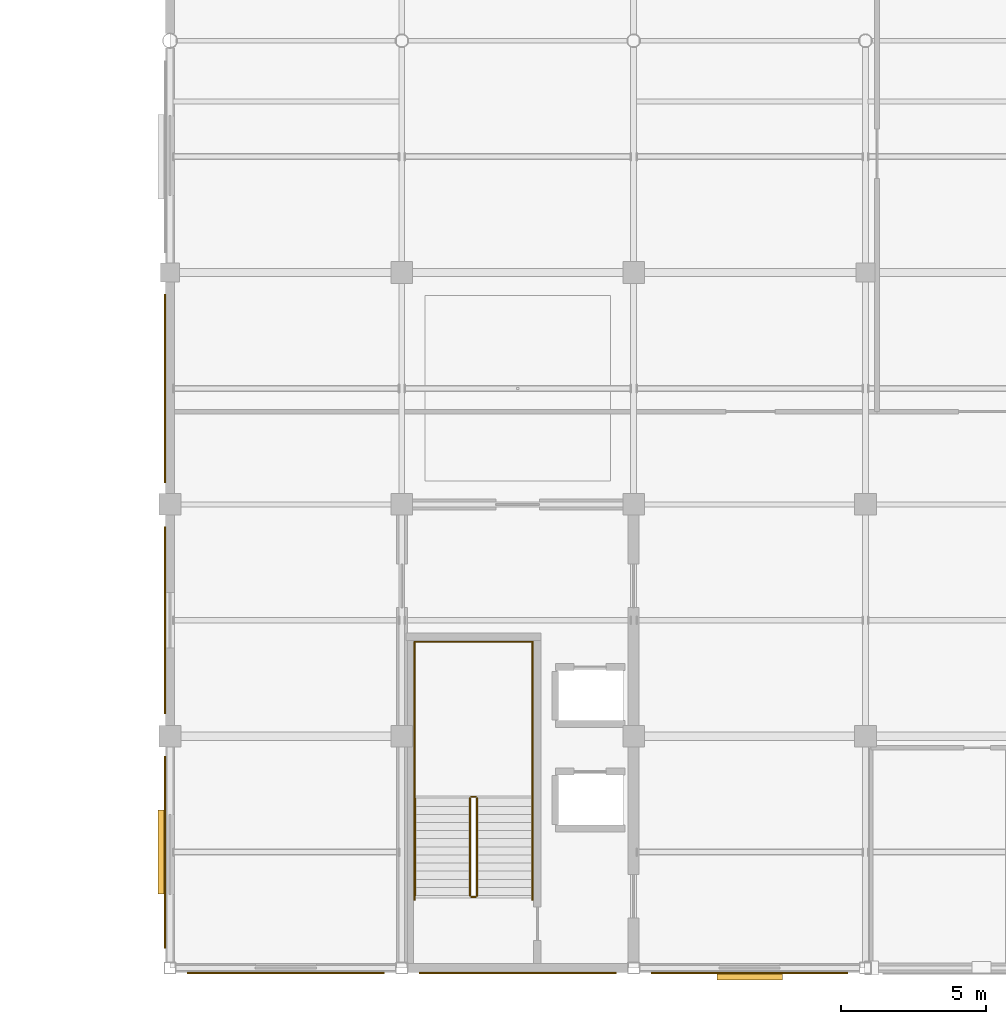
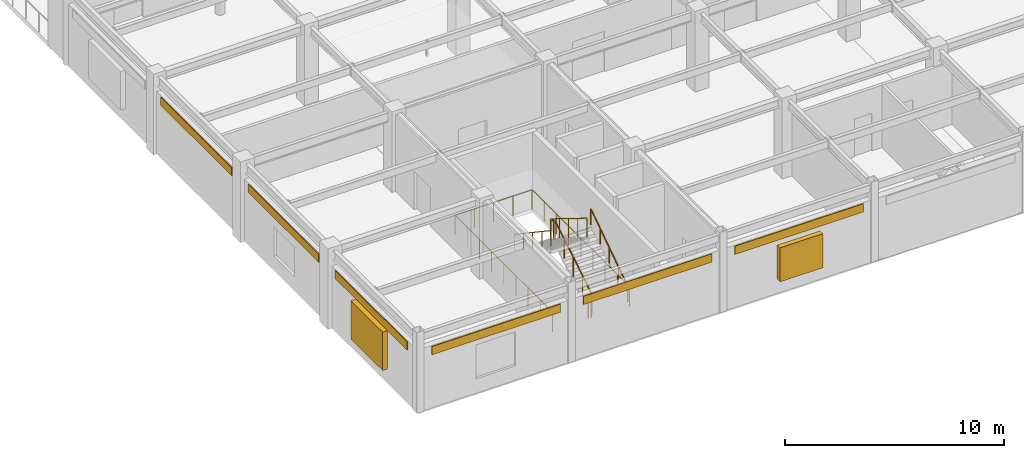
# One storey, part 82 of 93: 9 railings, 6 coverings, 2 shading devices.
"""IFC4 building model written with IfcOpenShell, lengths in metres."""

import ifcopenshell
import ifcopenshell.guid

model = None  # the IFC model being written
_history = None  # IfcOwnerHistory: only IFC2X3 demands one
_inside = {}  # id of a spatial element -> (the spatial element, [elements in it])
_under = {}  # id of a project, library or spatial element -> (it, [spatial elements below it])
_declared = {}  # id of a project -> (the project, [libraries it declares])
_typed = {}  # id of a type object -> (the type object, [elements of that type])
_made_of = {}  # id of a material, layer set ... -> (it, [elements and type objects made of it])


def new_model(schema):
    """Start an empty IFC model of exactly this schema.

    Asked for "IFC4X3", IfcOpenShell would pick the latest addendum, in which some entities
    have other attributes; the version numbers below select the first issue.
    IFC2X3 requires an IfcOwnerHistory on every rooted entity: one is made here for all.
    """
    global model, _history
    if schema == "IFC4X3":
        model = ifcopenshell.file(schema_version=(4, 3, 0, 0))
    else:
        model = ifcopenshell.file(schema=schema)
    _inside.clear()
    _under.clear()
    _declared.clear()
    _typed.clear()
    _made_of.clear()
    _history = None
    if model.schema == "IFC2X3":
        org = make("IfcOrganization", Name="unknown")
        user = make(
            "IfcPersonAndOrganization",
            ThePerson=make("IfcPerson", FamilyName="unknown"),
            TheOrganization=org,
        )
        app = make(
            "IfcApplication",
            ApplicationDeveloper=org,
            Version="unknown",
            ApplicationFullName="unknown",
            ApplicationIdentifier="unknown",
        )
        _history = make(
            "IfcOwnerHistory",
            OwningUser=user,
            OwningApplication=app,
            ChangeAction="ADDED",
            CreationDate=0,
        )
    return model


def make(cls, **values):
    """One entity of the class cls with the attributes given. An attribute that is None is left unset."""
    return model.create_entity(
        cls, **{name: value for name, value in values.items() if value is not None}
    )


def rooted(cls, **values):
    """An entity with a GlobalId (a new one), such as an element, a storey or a relation."""
    return make(cls, GlobalId=ifcopenshell.guid.new(), OwnerHistory=_history, **values)


def si_unit(unit_type, name, prefix=None):
    """IfcSIUnit, for example si_unit("LENGTHUNIT", "METRE", prefix="MILLI")."""
    return make("IfcSIUnit", UnitType=unit_type, Prefix=prefix, Name=name)


def assignment(units):
    """IfcUnitAssignment: the units of a project."""
    return None if units is None else make("IfcUnitAssignment", Units=units)


def point(xyz):
    """IfcCartesianPoint."""
    return None if xyz is None else make("IfcCartesianPoint", Coordinates=xyz)


def direction(xyz):
    """IfcDirection."""
    return None if xyz is None else make("IfcDirection", DirectionRatios=xyz)


def frame(location, z_axis=None, x_axis=None):
    """IfcAxis2Placement3D, a coordinate frame: its origin and axes. An axis left out is left unset."""
    return make(
        "IfcAxis2Placement3D",
        Location=point(location),
        Axis=direction(z_axis),
        RefDirection=direction(x_axis),
    )


def frame_2d(location, x_axis=None):
    """IfcAxis2Placement2D, a coordinate frame in the plane: its origin and x axis."""
    return make(
        "IfcAxis2Placement2D", Location=point(location), RefDirection=direction(x_axis)
    )


def origin():
    """The frame at (0, 0, 0) with its axes left unset."""
    return frame((0.0, 0.0, 0.0))


def origin_2d():
    """The frame at (0, 0) in the plane with its x axis left unset."""
    return frame_2d((0.0, 0.0))


def place(relative_to, where):
    """IfcLocalPlacement: puts the frame where relative to a parent placement (None: the world)."""
    return make(
        "IfcLocalPlacement", PlacementRelTo=relative_to, RelativePlacement=where
    )


def context(
    kind, dimensions, precision=None, world=None, true_north=None, identifier=None
):
    """IfcGeometricRepresentationContext, for example the 3D "Model" context."""
    return make(
        "IfcGeometricRepresentationContext",
        ContextIdentifier=identifier,
        ContextType=kind,
        CoordinateSpaceDimension=dimensions,
        Precision=precision,
        WorldCoordinateSystem=world,
        TrueNorth=true_north,
    )


def subcontext(parent, identifier, kind, view, scale=None):
    """IfcGeometricRepresentationSubContext, for example "Body" below "Model"."""
    return make(
        "IfcGeometricRepresentationSubContext",
        ContextIdentifier=identifier,
        ContextType=kind,
        ParentContext=parent,
        TargetScale=scale,
        TargetView=view,
    )


def project(units=None, contexts=None):
    """IfcProject with its units and contexts."""
    return rooted(
        "IfcProject",
        Name="project",
        RepresentationContexts=contexts,
        UnitsInContext=assignment(units),
    )


def spatial(cls, under=None, at=None, **own):
    """A site, building, storey or space (cls), placed at a placement, below another one or the project."""
    s = rooted(cls, ObjectPlacement=at, **own)
    if under is not None:
        _under.setdefault(under.id(), (under, []))[1].append(s)
    return s


def profile(cls, at=None, kind="AREA", **sizes):
    """A parametric profile (cls). Its sizes go by their IFC names, for example OverallWidth=200.0."""
    return make(cls, ProfileType=kind, Position=at, **sizes)


def rectangle(**sizes):
    """IfcRectangleProfileDef."""
    return profile("IfcRectangleProfileDef", **sizes)


def circle(**sizes):
    """IfcCircleProfileDef."""
    return profile("IfcCircleProfileDef", **sizes)


def extrude(swept, where, along, depth):
    """IfcExtrudedAreaSolid: the profile swept, set in the frame where, extruded along a direction by depth."""
    return make(
        "IfcExtrudedAreaSolid",
        SweptArea=swept,
        Position=where,
        ExtrudedDirection=direction(along),
        Depth=depth,
    )


def shape(context_of_items, identifier, shape_type, items):
    """IfcShapeRepresentation: the items that make up one representation, for example the "Body"."""
    return make(
        "IfcShapeRepresentation",
        ContextOfItems=context_of_items,
        RepresentationIdentifier=identifier,
        RepresentationType=shape_type,
        Items=items,
    )


def material(Name=None, Category=None):
    """IfcMaterial."""
    return make("IfcMaterial", Name=Name, Category=Category)


def layer(
    of_material, thickness, ventilated=None, Name=None, Category=None, Priority=None
):
    """IfcMaterialLayer: one layer of a wall or slab, of a material (None: an air gap)."""
    return make(
        "IfcMaterialLayer",
        Material=of_material,
        LayerThickness=thickness,
        IsVentilated=ventilated,
        Name=Name,
        Category=Category,
        Priority=Priority,
    )


def layer_set(layers, Name=None):
    """IfcMaterialLayerSet."""
    return make("IfcMaterialLayerSet", MaterialLayers=layers, LayerSetName=Name)


def made_of(thing, what):
    """Note that an element or type object is made of a material, layer set ...; save() writes the relation."""
    if what is not None:
        _made_of.setdefault(what.id(), (what, []))[1].append(thing)
    return thing


def type_object(cls, material=None, **own):
    """A type object (cls), such as IfcWallType, which elements share."""
    return made_of(rooted(cls, **own), material)


def element(
    cls,
    number,
    at=None,
    inside=None,
    cuts=None,
    type_object=None,
    material=None,
    context=None,
    identifier="Body",
    shape_type=None,
    held_by="IfcProductDefinitionShape",
    body=None,
    shapes=None,
    **own,
):
    """One element of the class cls, such as IfcWall. Its Tag is "e" and its number.

    at: its placement. inside: the storey or other place that contains it. cuts: it is an
    opening in that element (IfcRelVoidsElement). A single representation is given by context,
    identifier, shape_type and body (its items); several are given by shapes. held_by: the class
    of the entity that holds the representations. save() writes the other relations.
    """
    e = rooted(cls, Tag="e%d" % number, ObjectPlacement=at, **own)
    if body is not None:
        shapes = [shape(context, identifier, shape_type, body)]
    if shapes is not None:
        e.Representation = make(held_by, Representations=shapes)
    if inside is not None:
        _inside.setdefault(inside.id(), (inside, []))[1].append(e)
    if cuts is not None:
        rooted(
            "IfcRelVoidsElement", RelatingBuildingElement=cuts, RelatedOpeningElement=e
        )
    if type_object is not None:
        _typed.setdefault(type_object.id(), (type_object, []))[1].append(e)
    return made_of(e, material)


def aggregate(whole, parts):
    """IfcRelAggregates: a whole, such as a stair, and the parts it consists of."""
    return rooted("IfcRelAggregates", RelatingObject=whole, RelatedObjects=parts)


def save(model, path):
    """Write the relations noted so far, then the file.

    IfcRelAggregates (storeys below a building ...), IfcRelContainedInSpatialStructure (elements
    in a storey), IfcRelDefinesByType, IfcRelAssociatesMaterial and IfcRelDeclares: one each for
    every whole, place, type object, material and project.
    """
    for whole, parts in _under.values():
        aggregate(whole, parts)
    for where, things in _inside.values():
        rooted(
            "IfcRelContainedInSpatialStructure",
            RelatedElements=things,
            RelatingStructure=where,
        )
    for kind, things in _typed.values():
        rooted("IfcRelDefinesByType", RelatedObjects=things, RelatingType=kind)
    for what, things in _made_of.values():
        rooted("IfcRelAssociatesMaterial", RelatedObjects=things, RelatingMaterial=what)
    for by, libraries in _declared.values():
        rooted("IfcRelDeclares", RelatingContext=by, RelatedDefinitions=libraries)
    model.write(path)


model = new_model("IFC4")

# Units and contexts
model_context = context("Model", 3, precision=1e-05, world=origin(), true_north=direction((0.0, 1.0)))
body_context = subcontext(model_context, "Body", "Model", "MODEL_VIEW")
ifc_project = project(units=[si_unit("LENGTHUNIT", "METRE"), si_unit("AREAUNIT", "SQUARE_METRE"), si_unit("VOLUMEUNIT", "CUBIC_METRE"), si_unit("PLANEANGLEUNIT", "RADIAN"), si_unit("MASSUNIT", "GRAM", prefix="KILO")], contexts=[model_context])

# Site, building, storey
site_placement = place(None, origin())
site = spatial("IfcSite", under=ifc_project, at=site_placement, CompositionType="ELEMENT")
building_placement = place(site_placement, origin())
building = spatial("IfcBuilding", under=site, at=building_placement, Name="Solmirada Galleria", CompositionType="ELEMENT")
storey_placement = place(building_placement, frame((0.0, 0.0, 14.89990234375)))
storey = spatial("IfcBuildingStorey", under=building, at=storey_placement, Name="L03", CompositionType="ELEMENT", Elevation=14.89990234375)

# Coverings
ifc_material_1 = material(Name="Limestone cladding panels", Category="masonry")
ifc_layer_1 = layer(ifc_material_1, 0.044921875)
ifc_layer_set_1 = layer_set([ifc_layer_1], Name="Limestone cladding panels")
covering_type_1 = type_object("IfcCoveringType", Name="COV-CLAD-LIME", PredefinedType="CLADDING", material=ifc_layer_set_1)
for number, where, z_axis, x_axis, name in (
    (1, (100.0, -0.177490234375, 2.990234375), (0.0, 0.0, 1.0), (-1.0, 0.0, 0.0), "Postmodern facade cladding L03-217"),
    (2, (84.0, -0.177490234375, 2.990234375), (0.0, 0.0, 1.0), (-1.0, 0.0, 0.0), "Postmodern facade cladding L03-219"),
):
    element("IfcCovering", number, at=place(storey_placement, frame(where, z_axis=z_axis, x_axis=x_axis)), inside=storey, type_object=covering_type_1, Name=name, PredefinedType="CLADDING", context=body_context, shape_type="SweptSolid", body=[
        extrude(rectangle(XDim=6.7939453125, YDim=0.044921875, at=origin_2d()), origin(), (0.0, 0.0, 1.0), 0.4599609375),
    ])
covering_1_placement = place(storey_placement, frame((79.822509765625, 12.0, 2.990234375), z_axis=(0.0, 0.0, 1.0), x_axis=(0.0, 1.0, 0.0)))
element("IfcCovering", 3, at=covering_1_placement, inside=storey, type_object=covering_type_1, Name="Postmodern facade cladding L03-221", PredefinedType="CLADDING", context=body_context, shape_type="SweptSolid", body=[
    extrude(rectangle(XDim=6.449951171875, YDim=0.044921875, at=origin_2d()), origin(), (0.0, 0.0, 1.0), 0.4599609375),
])
ifc_material_2 = material(Name="Glazed terracotta facade panels", Category="masonry")
ifc_layer_2 = layer(ifc_material_2, 0.0400390625)
ifc_layer_set_2 = layer_set([ifc_layer_2], Name="Glazed terracotta facade panels")
covering_type_2 = type_object("IfcCoveringType", Name="COV-CLAD-TERRA", PredefinedType="CLADDING", material=ifc_layer_set_2)
covering_2_placement = place(storey_placement, frame((92.0, -0.175048828125, 2.990234375), z_axis=(0.0, 0.0, 1.0), x_axis=(-1.0, 0.0, 0.0)))
element("IfcCovering", 4, at=covering_2_placement, inside=storey, type_object=covering_type_2, Name="Postmodern facade cladding L03-218", PredefinedType="CLADDING", context=body_context, shape_type="SweptSolid", body=[
    extrude(rectangle(XDim=6.7939453125, YDim=0.0400390625, at=origin_2d()), origin(), (0.0, 0.0, 1.0), 0.4599609375),
])
covering_3_placement = place(storey_placement, frame((79.824951171875, 4.0, 2.990234375), z_axis=(0.0, 0.0, 1.0), x_axis=(0.0, 1.0, 0.0)))
element("IfcCovering", 5, at=covering_3_placement, inside=storey, type_object=covering_type_2, Name="Postmodern facade cladding L03-220", PredefinedType="CLADDING", context=body_context, shape_type="SweptSolid", body=[
    extrude(rectangle(XDim=6.6220703125, YDim=0.0400390625, at=origin_2d()), origin(), (0.0, 0.0, 1.0), 0.4599609375),
])
covering_4_placement = place(storey_placement, frame((79.824951171875, 20.0, 2.990234375), z_axis=(0.0, 0.0, 1.0), x_axis=(0.0, 1.0, 0.0)))
element("IfcCovering", 6, at=covering_4_placement, inside=storey, type_object=covering_type_2, Name="Postmodern facade cladding L03-222", PredefinedType="CLADDING", context=body_context, shape_type="SweptSolid", body=[
    extrude(rectangle(XDim=6.5, YDim=0.0400390625, at=origin_2d()), origin(), (0.0, 0.0, 1.0), 0.4599609375),
])

# Railings
ifc_material_3 = material(Name="Painted steel tubular railing", Category="steel")
railing_type_1 = type_object("IfcRailingType", Name="RAIL-STAIR-GUARD", PredefinedType="GUARDRAIL", material=ifc_material_3)
railing_1_placement = place(storey_placement, frame((90.60009765625, 2.5, 0.173095703125)))
element("IfcRailing", 7, at=railing_1_placement, inside=storey, type_object=railing_type_1, Name="L03 ST2 stair guard 1", PredefinedType="GUARDRAIL", context=body_context, shape_type="SweptSolid", body=[
    extrude(circle(Radius=0.02392578125, at=origin_2d()), frame((0.0, 0.0, 1.076171875), z_axis=(0.0, 0.850623216509, 0.525775754039), x_axis=(-1.0, 0.0, 0.0)), (0.0, 0.0, 1.0), 3.9501953125),
    extrude(circle(Radius=0.02099609375, at=origin_2d()), origin(), (0.0, 0.0, 1.0), 1.048095703125),
    extrude(circle(Radius=0.02099609375, at=origin_2d()), frame((0.0, 0.840087890625, 0.519287109375)), (0.0, 0.0, 1.0), 1.048095703125),
    extrude(circle(Radius=0.02099609375, at=origin_2d()), frame((0.0, 1.68017578125, 1.03857421875)), (0.0, 0.0, 1.0), 1.048095703125),
    extrude(circle(Radius=0.02099609375, at=origin_2d()), frame((0.0, 2.52001953125, 1.5576171875)), (0.0, 0.0, 1.0), 1.048095703125),
    extrude(circle(Radius=0.02099609375, at=origin_2d()), frame((0.0, 3.360107421875, 2.076904296875)), (0.0, 0.0, 1.0), 1.048095703125),
])
railing_2_placement = place(storey_placement, frame((90.550048828125, 5.909912109375, 2.25)))
element("IfcRailing", 8, at=railing_2_placement, inside=storey, type_object=railing_type_1, Name="L03 ST2 stair guard 2", PredefinedType="GUARDRAIL", context=body_context, shape_type="SweptSolid", body=[
    extrude(circle(Radius=0.02392578125, at=origin_2d()), frame((0.0, 0.0, 1.076171875), z_axis=(-1.0, 0.0, 0.0), x_axis=(0.0, -1.0, 0.0)), (0.0, 0.0, 1.0), 0.150146484375),
    extrude(circle(Radius=0.02099609375, at=origin_2d()), origin(), (0.0, 0.0, 1.0), 1.048095703125),
    extrude(circle(Radius=0.02099609375, at=origin_2d()), frame((-0.150146484375, 0.0, 0.0)), (0.0, 0.0, 1.0), 1.048095703125),
])
railing_3_placement = place(storey_placement, frame((90.35009765625, 5.860107421875, 2.423095703125)))
element("IfcRailing", 9, at=railing_3_placement, inside=storey, type_object=railing_type_1, Name="L03 ST2 stair guard 3", PredefinedType="GUARDRAIL", context=body_context, shape_type="SweptSolid", body=[
    extrude(circle(Radius=0.02392578125, at=origin_2d()), frame((0.0, 0.0, 1.076171875), z_axis=(0.0, -0.850623216509, 0.525775754039), x_axis=(1.0, 0.0, 0.0)), (0.0, 0.0, 1.0), 3.9501953125),
    extrude(circle(Radius=0.02099609375, at=origin_2d()), origin(), (0.0, 0.0, 1.0), 1.048095703125),
    extrude(circle(Radius=0.02099609375, at=origin_2d()), frame((0.0, -0.840087890625, 0.519287109375)), (0.0, 0.0, 1.0), 1.048095703125),
    extrude(circle(Radius=0.02099609375, at=origin_2d()), frame((0.0, -1.68017578125, 1.03857421875)), (0.0, 0.0, 1.0), 1.048095703125),
    extrude(circle(Radius=0.02099609375, at=origin_2d()), frame((0.0, -2.52001953125, 1.5576171875)), (0.0, 0.0, 1.0), 1.048095703125),
    extrude(circle(Radius=0.02099609375, at=origin_2d()), frame((0.0, -3.360107421875, 2.076904296875)), (0.0, 0.0, 1.0), 1.048095703125),
])
railing_4_placement = place(storey_placement, frame((90.550048828125, 2.449951171875, 0.0)))
element("IfcRailing", 10, at=railing_4_placement, inside=storey, type_object=railing_type_1, Name="L03 ST2 stair guard 4", PredefinedType="GUARDRAIL", context=body_context, shape_type="SweptSolid", body=[
    extrude(circle(Radius=0.02392578125, at=origin_2d()), frame((0.0, 0.0, 1.076171875), z_axis=(-1.0, 0.0, 0.0), x_axis=(0.0, -1.0, 0.0)), (0.0, 0.0, 1.0), 0.150146484375),
    extrude(circle(Radius=0.02099609375, at=origin_2d()), origin(), (0.0, 0.0, 1.0), 1.048095703125),
    extrude(circle(Radius=0.02099609375, at=origin_2d()), frame((-0.150146484375, 0.0, 0.0)), (0.0, 0.0, 1.0), 1.048095703125),
])
railing_5_placement = place(storey_placement, frame((88.43994140625, 2.35009765625, 0.0)))
element("IfcRailing", 11, at=railing_5_placement, inside=storey, type_object=railing_type_1, Name="Stair ST2 well edge guard L03-1", PredefinedType="GUARDRAIL", context=body_context, shape_type="SweptSolid", body=[
    extrude(circle(Radius=0.02392578125, at=origin_2d()), frame((0.0, 0.0, 1.09619140625), z_axis=(0.0, 1.0, 0.0), x_axis=(-1.0, 0.0, 0.0)), (0.0, 0.0, 1.0), 8.909912109375),
    extrude(circle(Radius=0.02099609375, at=origin_2d()), origin(), (0.0, 0.0, 1.0), 1.068115234375),
    extrude(circle(Radius=0.02099609375, at=origin_2d()), frame((0.0, 1.11376953125, 0.0)), (0.0, 0.0, 1.0), 1.068115234375),
    extrude(circle(Radius=0.02099609375, at=origin_2d()), frame((0.0, 2.2275390625, 0.0)), (0.0, 0.0, 1.0), 1.068115234375),
    extrude(circle(Radius=0.02099609375, at=origin_2d()), frame((0.0, 3.34130859375, 0.0)), (0.0, 0.0, 1.0), 1.068115234375),
    extrude(circle(Radius=0.02099609375, at=origin_2d()), frame((0.0, 4.455078125, 0.0)), (0.0, 0.0, 1.0), 1.068115234375),
    extrude(circle(Radius=0.02099609375, at=origin_2d()), frame((0.0, 5.568603515625, 0.0)), (0.0, 0.0, 1.0), 1.068115234375),
    extrude(circle(Radius=0.02099609375, at=origin_2d()), frame((0.0, 6.682373046875, 0.0)), (0.0, 0.0, 1.0), 1.068115234375),
    extrude(circle(Radius=0.02099609375, at=origin_2d()), frame((0.0, 7.796142578125, 0.0)), (0.0, 0.0, 1.0), 1.068115234375),
    extrude(circle(Radius=0.02099609375, at=origin_2d()), frame((0.0, 8.909912109375, 0.0)), (0.0, 0.0, 1.0), 1.068115234375),
])
railing_6_placement = place(storey_placement, frame((88.43994140625, 11.260009765625, 0.0)))
element("IfcRailing", 12, at=railing_6_placement, inside=storey, type_object=railing_type_1, Name="Stair ST2 well edge guard L03-2", PredefinedType="GUARDRAIL", context=body_context, shape_type="SweptSolid", body=[
    extrude(circle(Radius=0.02392578125, at=origin_2d()), frame((0.0, 0.0, 1.09619140625), z_axis=(1.0, 0.0, 0.0), x_axis=(0.0, 1.0, 0.0)), (0.0, 0.0, 1.0), 4.070068359375),
    extrude(circle(Radius=0.02099609375, at=origin_2d()), origin(), (0.0, 0.0, 1.0), 1.068115234375),
    extrude(circle(Radius=0.02099609375, at=origin_2d()), frame((1.017578125, 0.0, 0.0)), (0.0, 0.0, 1.0), 1.068115234375),
    extrude(circle(Radius=0.02099609375, at=origin_2d()), frame((2.03515625, 0.0, 0.0)), (0.0, 0.0, 1.0), 1.068115234375),
    extrude(circle(Radius=0.02099609375, at=origin_2d()), frame((3.052490234375, 0.0, 0.0)), (0.0, 0.0, 1.0), 1.068115234375),
    extrude(circle(Radius=0.02099609375, at=origin_2d()), frame((4.070068359375, 0.0, 0.0)), (0.0, 0.0, 1.0), 1.068115234375),
])
railing_7_placement = place(storey_placement, frame((92.510009765625, 11.260009765625, 0.0)))
element("IfcRailing", 13, at=railing_7_placement, inside=storey, type_object=railing_type_1, Name="Stair ST2 well edge guard L03-3", PredefinedType="GUARDRAIL", context=body_context, shape_type="SweptSolid", body=[
    extrude(circle(Radius=0.02392578125, at=origin_2d()), frame((0.0, 0.0, 1.09619140625), z_axis=(0.0, -1.0, 0.0), x_axis=(1.0, 0.0, 0.0)), (0.0, 0.0, 1.0), 8.909912109375),
    extrude(circle(Radius=0.02099609375, at=origin_2d()), origin(), (0.0, 0.0, 1.0), 1.068115234375),
    extrude(circle(Radius=0.02099609375, at=origin_2d()), frame((0.0, -1.11376953125, 0.0)), (0.0, 0.0, 1.0), 1.068115234375),
    extrude(circle(Radius=0.02099609375, at=origin_2d()), frame((0.0, -2.2275390625, 0.0)), (0.0, 0.0, 1.0), 1.068115234375),
    extrude(circle(Radius=0.02099609375, at=origin_2d()), frame((0.0, -3.34130859375, 0.0)), (0.0, 0.0, 1.0), 1.068115234375),
    extrude(circle(Radius=0.02099609375, at=origin_2d()), frame((0.0, -4.455078125, 0.0)), (0.0, 0.0, 1.0), 1.068115234375),
    extrude(circle(Radius=0.02099609375, at=origin_2d()), frame((0.0, -5.568603515625, 0.0)), (0.0, 0.0, 1.0), 1.068115234375),
    extrude(circle(Radius=0.02099609375, at=origin_2d()), frame((0.0, -6.682373046875, 0.0)), (0.0, 0.0, 1.0), 1.068115234375),
    extrude(circle(Radius=0.02099609375, at=origin_2d()), frame((0.0, -7.796142578125, 0.0)), (0.0, 0.0, 1.0), 1.068115234375),
    extrude(circle(Radius=0.02099609375, at=origin_2d()), frame((0.0, -8.909912109375, 0.0)), (0.0, 0.0, 1.0), 1.068115234375),
])
railing_type_2 = type_object("IfcRailingType", Name="RAIL-STAIR-HAND", PredefinedType="HANDRAIL", material=ifc_material_3)
railing_8_placement = place(storey_placement, frame((92.5, 2.5, 0.173095703125)))
element("IfcRailing", 14, at=railing_8_placement, inside=storey, type_object=railing_type_2, Name="L03 ST2 stair handrail 1", PredefinedType="HANDRAIL", context=body_context, shape_type="SweptSolid", body=[
    extrude(circle(Radius=0.02392578125, at=origin_2d()), frame((0.0, 0.0, 0.8759765625), z_axis=(0.0, 0.830915400975, 0.556398774641), x_axis=(-1.0, 0.0, 0.0)), (0.0, 0.0, 1.0), 4.0439453125),
    extrude(circle(Radius=0.02099609375, at=origin_2d()), origin(), (0.0, 0.0, 1.0), 0.847900390625),
    extrude(circle(Radius=0.02099609375, at=origin_2d()), frame((0.0, 0.840087890625, 0.5625)), (0.0, 0.0, 1.0), 0.847900390625),
    extrude(circle(Radius=0.02099609375, at=origin_2d()), frame((0.0, 1.68017578125, 1.125)), (0.0, 0.0, 1.0), 0.847900390625),
    extrude(circle(Radius=0.02099609375, at=origin_2d()), frame((0.0, 2.52001953125, 1.6875)), (0.0, 0.0, 1.0), 0.847900390625),
    extrude(circle(Radius=0.02099609375, at=origin_2d()), frame((0.0, 3.360107421875, 2.25)), (0.0, 0.0, 1.0), 0.847900390625),
])
railing_9_placement = place(storey_placement, frame((88.449951171875, 5.860107421875, 2.423095703125)))
element("IfcRailing", 15, at=railing_9_placement, inside=storey, type_object=railing_type_2, Name="L03 ST2 stair handrail 2", PredefinedType="HANDRAIL", context=body_context, shape_type="SweptSolid", body=[
    extrude(circle(Radius=0.02392578125, at=origin_2d()), frame((0.0, 0.0, 0.8759765625), z_axis=(0.0, -0.830915400975, 0.556398774641), x_axis=(1.0, 0.0, 0.0)), (0.0, 0.0, 1.0), 4.0439453125),
    extrude(circle(Radius=0.02099609375, at=origin_2d()), origin(), (0.0, 0.0, 1.0), 0.847900390625),
    extrude(circle(Radius=0.02099609375, at=origin_2d()), frame((0.0, -0.840087890625, 0.5625)), (0.0, 0.0, 1.0), 0.847900390625),
    extrude(circle(Radius=0.02099609375, at=origin_2d()), frame((0.0, -1.68017578125, 1.125)), (0.0, 0.0, 1.0), 0.847900390625),
    extrude(circle(Radius=0.02099609375, at=origin_2d()), frame((0.0, -2.52001953125, 1.6875)), (0.0, 0.0, 1.0), 0.847900390625),
    extrude(circle(Radius=0.02099609375, at=origin_2d()), frame((0.0, -3.360107421875, 2.25)), (0.0, 0.0, 1.0), 0.847900390625),
])

# Shading devices
ifc_material_4 = material(Name="Extruded aluminium storm louvres", Category="aluminium")
shading_device_type = type_object("IfcShadingDeviceType", Name="SHD-JALOUSIE", PredefinedType="JALOUSIE", material=ifc_material_4)
shading_device_1_placement = place(storey_placement, frame((100.0, -0.284912109375, 0.800048828125), z_axis=(0.0, 0.0, 1.0), x_axis=(-1.0, 0.0, 0.0)))
element("IfcShadingDevice", 16, at=shading_device_1_placement, inside=storey, type_object=shading_device_type, Name="Hurricane storm jalousie louvre 071", PredefinedType="JALOUSIE", context=body_context, shape_type="SweptSolid", body=[
    extrude(rectangle(XDim=2.260009765625, YDim=0.260009765625, at=origin_2d()), origin(), (0.0, 0.0, 1.0), 1.89990234375),
])
shading_device_2_placement = place(storey_placement, frame((79.715087890625, 4.0, 0.800048828125), z_axis=(0.0, 0.0, 1.0), x_axis=(0.0, 1.0, 0.0)))
element("IfcShadingDevice", 17, at=shading_device_2_placement, inside=storey, type_object=shading_device_type, Name="Hurricane storm jalousie louvre 072", PredefinedType="JALOUSIE", context=body_context, shape_type="SweptSolid", body=[
    extrude(rectangle(XDim=2.909912109375, YDim=0.260009765625, at=origin_2d()), origin(), (0.0, 0.0, 1.0), 2.14990234375),
])

save(model, "model.ifc")
